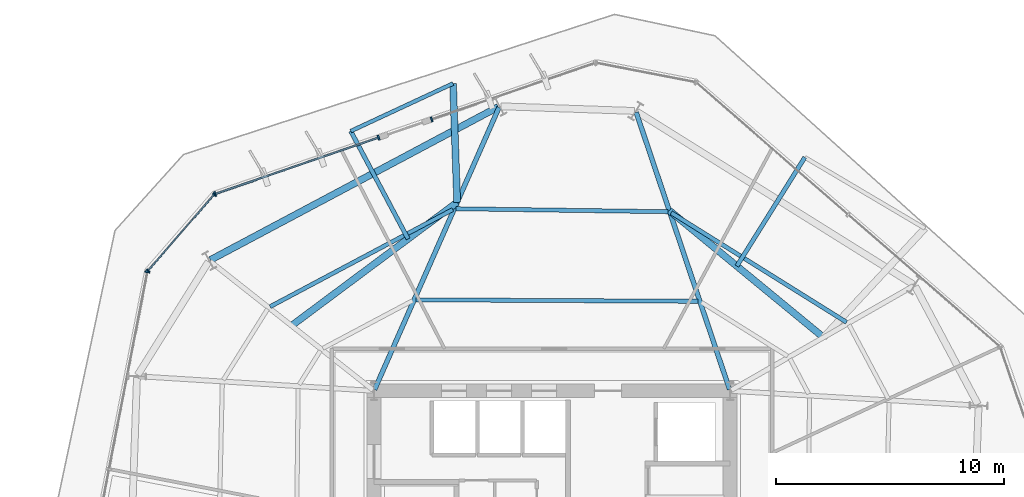
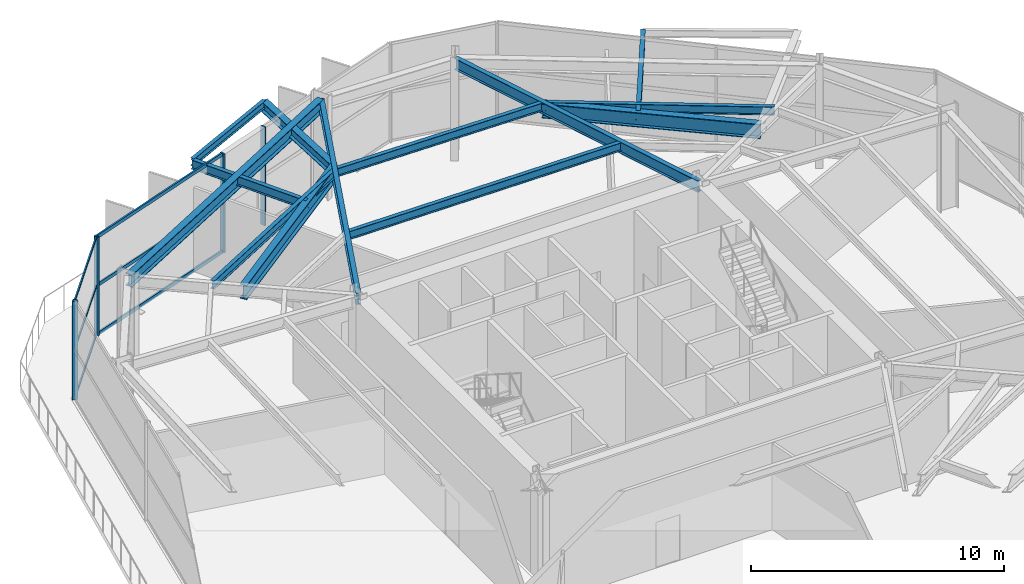
# One storey, part 6 of 16: 13 beams, 12 members, 4 elements without a shape of their own.
"""IFC4 building model written with IfcOpenShell, lengths in metres."""

from ifc_helpers import new_model, si_unit, direction, frame, origin, origin_2d, place, context, subcontext, project, spatial, rectangle, i_section, extrude, material, layer, layer_set, material_profile, profile_set, type_object, element, aggregate, save


model = new_model("IFC4")

# Units and contexts
model_context = context("Model", 3, precision=1e-05, world=origin(), true_north=direction((0.0, 1.0)))
body_context = subcontext(model_context, "Body", "Model", "MODEL_VIEW")
ifc_project = project(units=[si_unit("LENGTHUNIT", "METRE"), si_unit("AREAUNIT", "SQUARE_METRE"), si_unit("VOLUMEUNIT", "CUBIC_METRE"), si_unit("PLANEANGLEUNIT", "RADIAN"), si_unit("MASSUNIT", "GRAM", prefix="KILO")], contexts=[model_context])

# Site, building, storey
site_placement = place(None, origin())
site = spatial("IfcSite", under=ifc_project, at=site_placement, CompositionType="ELEMENT")
building_placement = place(site_placement, origin())
building = spatial("IfcBuilding", under=site, at=building_placement, Name="Kranzbogen Civic Tower", CompositionType="ELEMENT")
storey_placement = place(building_placement, frame((0.0, 0.0, 97.39990234375)))
storey = spatial("IfcBuildingStorey", under=building, at=storey_placement, Name="L23", CompositionType="ELEMENT", Elevation=97.39990234375)

# Beams
ifc_material_1 = material(Name="Steel S355", Category="steel")
ifc_material_profile_1 = material_profile(ifc_material_1, i_section(OverallWidth=0.18994140625, OverallDepth=0.449951171875, WebThickness=0.009521484375, FlangeThickness=0.0146484375, at=origin_2d()), Name="IPE 450")
ifc_profile_set_1 = profile_set([ifc_material_profile_1], Name="Steel S355")
beam_type_1 = type_object("IfcBeamType", Name="Braced Terrace Edge Beam IPE 450", PredefinedType="BEAM", material=ifc_profile_set_1)
beam_1_placement = place(storey_placement, frame((18.69189453125, 38.860107421875, 4.525146484375), z_axis=(-0.469514549434, 0.88292473511, 0.0), x_axis=(-0.88292473511, -0.469514549434, 0.0)))
element("IfcBeam", 1, at=beam_1_placement, inside=storey, type_object=beam_type_1, Name="L24 back-spanned terrace beam L24-TB2-2", PredefinedType="BEAM", context=body_context, shape_type="SweptSolid", body=[
    extrude(i_section(OverallWidth=0.18994140625, OverallDepth=0.449951171875, WebThickness=0.009521484375, FlangeThickness=0.0146484375, at=origin_2d()), origin(), (0.0, 0.0, 1.0), 5.34814453125),
])
beam_2_placement = place(storey_placement, frame((33.09912109375, 37.6669921875, 4.4951171875), z_axis=(0.52986616592, 0.848081273354, 0.0), x_axis=(-0.848081273354, 0.52986616592, 0.0)))
element("IfcBeam", 2, at=beam_2_placement, inside=storey, type_object=beam_type_1, Name="L24 back-spanned terrace beam L24-ST-2", PredefinedType="BEAM", context=body_context, shape_type="SweptSolid", body=[
    extrude(i_section(OverallWidth=0.18994140625, OverallDepth=0.449951171875, WebThickness=0.009521484375, FlangeThickness=0.0146484375, at=origin_2d()), origin(), (0.0, 0.0, 1.0), 5.619873046875),
])

# Curtain wall, members
ifc_material_2 = material(Name="Pale Anodised Aluminium", Category="aluminium")
ifc_layer_1 = layer(ifc_material_2, 0.219970703125, Name="Pale Anodised Aluminium")
ifc_layer_set_1 = layer_set([ifc_layer_1], Name="Pale Anodised Aluminium")
curtain_wall_type_1 = type_object("IfcCurtainWallType", Name="Chamfer Facet Stick Curtain Wall System CW-06", PredefinedType="USERDEFINED", material=ifc_layer_set_1)
curtain_wall_1_placement = place(storey_placement, origin())
curtain_wall_1 = element("IfcCurtainWall", 3, at=curtain_wall_1_placement, inside=storey, type_object=curtain_wall_type_1, Name="L23 curtain wall CW-L23-C2", ObjectType="STICK CURTAIN WALL", PredefinedType="USERDEFINED")
ifc_material_profile_2 = material_profile(ifc_material_2, rectangle(XDim=0.06005859375, YDim=0.159912109375, at=origin_2d()), Name="ALU-M 60x160")
ifc_profile_set_2 = profile_set([ifc_material_profile_2], Name="Pale Anodised Aluminium")
member_type_1 = type_object("IfcMemberType", Name="Curtain Wall Mullion ALU-M 60x160", PredefinedType="MULLION", material=ifc_profile_set_2)
member_1_placement = place(storey_placement, frame((10.1904296875, 40.79638671875, 0.0), z_axis=(0.0, 0.0, 1.0), x_axis=(-0.656062411201, -0.754706640099, 0.0)))
member_1 = element("IfcMember", 4, at=member_1_placement, type_object=member_type_1, Name="CW-06 mullion 1", PredefinedType="MULLION", context=body_context, shape_type="SweptSolid", body=[
    extrude(rectangle(XDim=0.06005859375, YDim=0.159912109375, at=origin_2d()), origin(), (0.0, 0.0, 1.0), 4.760009765625),
])
member_2_placement = place(storey_placement, frame((7.296630859375, 37.467529296875, 0.0), z_axis=(0.0, 0.0, 1.0), x_axis=(-0.656062411201, -0.754706640099, 0.0)))
member_2 = element("IfcMember", 5, at=member_2_placement, type_object=member_type_1, Name="CW-06 mullion 2", PredefinedType="MULLION", context=body_context, shape_type="SweptSolid", body=[
    extrude(rectangle(XDim=0.06005859375, YDim=0.159912109375, at=origin_2d()), origin(), (0.0, 0.0, 1.0), 4.760009765625),
])

# Curtain wall, member
ifc_layer_2 = layer(ifc_material_2, 0.219970703125, Name="Pale Anodised Aluminium")
ifc_layer_set_2 = layer_set([ifc_layer_2], Name="Pale Anodised Aluminium")
curtain_wall_type_2 = type_object("IfcCurtainWallType", Name="Zone 2 Stick Curtain Wall System CW-03", PredefinedType="USERDEFINED", material=ifc_layer_set_2)
curtain_wall_2_placement = place(storey_placement, origin())
curtain_wall_2 = element("IfcCurtainWall", 6, at=curtain_wall_2_placement, inside=storey, type_object=curtain_wall_type_2, Name="L23 curtain wall CW-L23-F2-S1", ObjectType="STICK CURTAIN WALL", PredefinedType="USERDEFINED")
ifc_material_profile_3 = material_profile(ifc_material_2, rectangle(XDim=0.074951171875, YDim=0.219970703125, at=origin_2d()), Name="ALU-M 75x220")
ifc_profile_set_3 = profile_set([ifc_material_profile_3], Name="Pale Anodised Aluminium")
member_type_2 = type_object("IfcMemberType", Name="Curtain Wall Mullion ALU-M 75x220", PredefinedType="MULLION", material=ifc_profile_set_3)
member_3_placement = place(storey_placement, frame((19.725341796875, 44.095703125, 0.0), z_axis=(0.0, 0.0, 1.0), x_axis=(-0.945506521479, -0.325603160059, 0.0)))
member_3 = element("IfcMember", 7, at=member_3_placement, type_object=member_type_2, Name="CW-03 mullion 2", PredefinedType="MULLION", context=body_context, shape_type="SweptSolid", body=[
    extrude(rectangle(XDim=0.074951171875, YDim=0.219970703125, at=origin_2d()), origin(), (0.0, 0.0, 1.0), 4.760009765625),
])
aggregate(curtain_wall_2, [member_3])

# Curtain wall, members
curtain_wall_3_placement = place(storey_placement, origin())
curtain_wall_3 = element("IfcCurtainWall", 8, at=curtain_wall_3_placement, inside=storey, type_object=curtain_wall_type_2, Name="L23 curtain wall CW-L23-F2-S2", ObjectType="STICK CURTAIN WALL", PredefinedType="USERDEFINED")
member_4_placement = place(storey_placement, frame((17.399658203125, 43.295166015625, 0.0), z_axis=(0.0, 0.0, 1.0), x_axis=(-0.945492633298, -0.325643486622, 0.0)))
member_4 = element("IfcMember", 9, at=member_4_placement, type_object=member_type_2, Name="CW-03 mullion 1", PredefinedType="MULLION", context=body_context, shape_type="SweptSolid", body=[
    extrude(rectangle(XDim=0.074951171875, YDim=0.219970703125, at=origin_2d()), origin(), (0.0, 0.0, 1.0), 4.760009765625),
])
member_5_placement = place(storey_placement, frame((10.23828125, 40.828857421875, 0.0), z_axis=(0.0, 0.0, 1.0), x_axis=(-0.945492633298, -0.325643486622, 0.0)))
member_5 = element("IfcMember", 10, at=member_5_placement, type_object=member_type_2, Name="CW-03 mullion 2", PredefinedType="MULLION", context=body_context, shape_type="SweptSolid", body=[
    extrude(rectangle(XDim=0.074951171875, YDim=0.219970703125, at=origin_2d()), origin(), (0.0, 0.0, 1.0), 4.760009765625),
])

# Curtain wall, member
curtain_wall_4_placement = place(storey_placement, origin())
curtain_wall_4 = element("IfcCurtainWall", 11, at=curtain_wall_4_placement, inside=storey, type_object=curtain_wall_type_2, Name="L23 curtain wall CW-L23-F3", ObjectType="STICK CURTAIN WALL", PredefinedType="USERDEFINED")
member_6_placement = place(storey_placement, frame((7.271240234375, 37.41552734375, 0.0), z_axis=(0.0, 0.0, 1.0), x_axis=(-0.190845421179, -0.981620102288, 0.0)))
member_6 = element("IfcMember", 12, at=member_6_placement, type_object=member_type_2, Name="CW-03 mullion 1", PredefinedType="MULLION", context=body_context, shape_type="SweptSolid", body=[
    extrude(rectangle(XDim=0.074951171875, YDim=0.219970703125, at=origin_2d()), origin(), (0.0, 0.0, 1.0), 4.760009765625),
])
aggregate(curtain_wall_4, [member_6])

# Member
ifc_material_profile_4 = material_profile(ifc_material_2, rectangle(XDim=0.06005859375, YDim=0.1201171875, at=origin_2d()), Name="ALU-T 60x120")
ifc_profile_set_4 = profile_set([ifc_material_profile_4], Name="Pale Anodised Aluminium")
member_type_3 = type_object("IfcMemberType", Name="Curtain Wall Transom ALU-T 60x120", PredefinedType="USERDEFINED", material=ifc_profile_set_4)
member_7_placement = place(storey_placement, frame((10.170654296875, 40.773681640625, 0.030029296875), z_axis=(-0.656057835583, -0.754710617634, 0.0), x_axis=(0.754710617634, -0.656057835583, 0.0)))
member_7 = element("IfcMember", 13, at=member_7_placement, type_object=member_type_3, Name="CW-06 transom 1.1", ObjectType="TRANSOM", PredefinedType="USERDEFINED", context=body_context, shape_type="SweptSolid", body=[
    extrude(rectangle(XDim=0.06005859375, YDim=0.1201171875, at=origin_2d()), origin(), (0.0, 0.0, 1.0), 4.3505859375),
])

member_8_placement = place(storey_placement, frame((10.170654296875, 40.773681640625, 2.400146484375), z_axis=(-0.656057835583, -0.754710617634, 0.0), x_axis=(0.754710617634, -0.656057835583, 0.0)))
member_8 = element("IfcMember", 14, at=member_8_placement, type_object=member_type_3, Name="CW-06 transom 1.2", ObjectType="TRANSOM", PredefinedType="USERDEFINED", context=body_context, shape_type="SweptSolid", body=[
    extrude(rectangle(XDim=0.06005859375, YDim=0.1201171875, at=origin_2d()), origin(), (0.0, 0.0, 1.0), 4.3505859375),
])

member_9_placement = place(storey_placement, frame((10.170654296875, 40.773681640625, 4.72998046875), z_axis=(-0.656057835583, -0.754710617634, 0.0), x_axis=(0.754710617634, -0.656057835583, 0.0)))
member_9 = element("IfcMember", 15, at=member_9_placement, type_object=member_type_3, Name="CW-06 transom 1.3", ObjectType="TRANSOM", PredefinedType="USERDEFINED", context=body_context, shape_type="SweptSolid", body=[
    extrude(rectangle(XDim=0.06005859375, YDim=0.1201171875, at=origin_2d()), origin(), (0.0, 0.0, 1.0), 4.3505859375),
])

aggregate(curtain_wall_1, [member_1, member_2, member_7, member_8, member_9])

ifc_material_profile_5 = material_profile(ifc_material_2, rectangle(XDim=0.074951171875, YDim=0.1650390625, at=origin_2d()), Name="ALU-T 75x165")
ifc_profile_set_5 = profile_set([ifc_material_profile_5], Name="Pale Anodised Aluminium")
member_type_4 = type_object("IfcMemberType", Name="Curtain Wall Transom ALU-T 75x165", PredefinedType="USERDEFINED", material=ifc_profile_set_5)
member_10_placement = place(storey_placement, frame((17.371337890625, 43.285400390625, 0.030029296875), z_axis=(-0.945497905375, -0.325628178958, 0.0), x_axis=(0.325628178958, -0.945497905375, 0.0)))
member_10 = element("IfcMember", 16, at=member_10_placement, type_object=member_type_4, Name="CW-03 transom 1.1", ObjectType="TRANSOM", PredefinedType="USERDEFINED", context=body_context, shape_type="SweptSolid", body=[
    extrude(rectangle(XDim=0.074951171875, YDim=0.1650390625, at=origin_2d()), origin(), (0.0, 0.0, 1.0), 7.513916015625),
])

member_11_placement = place(storey_placement, frame((17.371337890625, 43.285400390625, 2.400146484375), z_axis=(-0.945497905375, -0.325628178958, 0.0), x_axis=(0.325628178958, -0.945497905375, 0.0)))
member_11 = element("IfcMember", 17, at=member_11_placement, type_object=member_type_4, Name="CW-03 transom 1.2", ObjectType="TRANSOM", PredefinedType="USERDEFINED", context=body_context, shape_type="SweptSolid", body=[
    extrude(rectangle(XDim=0.074951171875, YDim=0.1650390625, at=origin_2d()), origin(), (0.0, 0.0, 1.0), 7.513916015625),
])

member_12_placement = place(storey_placement, frame((17.371337890625, 43.285400390625, 4.72998046875), z_axis=(-0.945497905375, -0.325628178958, 0.0), x_axis=(0.325628178958, -0.945497905375, 0.0)))
member_12 = element("IfcMember", 18, at=member_12_placement, type_object=member_type_4, Name="CW-03 transom 1.3", ObjectType="TRANSOM", PredefinedType="USERDEFINED", context=body_context, shape_type="SweptSolid", body=[
    extrude(rectangle(XDim=0.074951171875, YDim=0.1650390625, at=origin_2d()), origin(), (0.0, 0.0, 1.0), 7.513916015625),
])

aggregate(curtain_wall_3, [member_4, member_5, member_10, member_11, member_12])

# Beams
ifc_material_profile_6 = material_profile(ifc_material_1, i_section(OverallWidth=0.300048828125, OverallDepth=0.5, WebThickness=0.014404296875, FlangeThickness=0.028076171875, at=origin_2d()), Name="HEB 500")
ifc_profile_set_6 = profile_set([ifc_material_profile_6], Name="Steel S355")
beam_type_2 = type_object("IfcBeamType", Name="Perimeter Tube Spandrel Beam HEB 500", PredefinedType="SPANDREL", material=ifc_profile_set_6)
beam_3_placement = place(storey_placement, frame((20.843017578125, 40.462890625, 4.5), z_axis=(-0.034735124116, 0.999396553502, 0.0), x_axis=(-0.999396553502, -0.034735124116, 0.0)))
element("IfcBeam", 19, at=beam_3_placement, inside=storey, type_object=beam_type_2, Name="L24 back-spanned terrace beam L24-TB2-1", PredefinedType="SPANDREL", context=body_context, shape_type="SweptSolid", body=[
    extrude(i_section(OverallWidth=0.300048828125, OverallDepth=0.5, WebThickness=0.014404296875, FlangeThickness=0.028076171875, at=origin_2d()), origin(), (0.0, 0.0, 1.0), 5.208251953125),
])
ifc_material_profile_7 = material_profile(ifc_material_1, i_section(OverallWidth=0.300048828125, OverallDepth=0.60009765625, WebThickness=0.015380859375, FlangeThickness=0.030029296875, at=origin_2d()), Name="HEB 600")
ifc_profile_set_7 = profile_set([ifc_material_profile_7], Name="Steel S355")
beam_type_3 = type_object("IfcBeamType", Name="Perimeter Tube Spandrel Beam HEB 600", PredefinedType="SPANDREL", material=ifc_profile_set_7)
beam_4_placement = place(storey_placement, frame((22.64599609375, 44.64404296875, 4.460205078125), z_axis=(-0.882948194046, -0.469470432116, 0.0), x_axis=(0.469470432116, -0.882948194046, 0.0)))
element("IfcBeam", 20, at=beam_4_placement, inside=storey, type_object=beam_type_3, Name="L23 perimeter spandrel beam 10", PredefinedType="SPANDREL", context=body_context, shape_type="SweptSolid", body=[
    extrude(i_section(OverallWidth=0.300048828125, OverallDepth=0.60009765625, WebThickness=0.015380859375, FlangeThickness=0.030029296875, at=origin_2d()), origin(), (0.0, 0.0, 1.0), 14.28857421875),
])
ifc_material_profile_8 = material_profile(ifc_material_1, i_section(OverallWidth=0.300048828125, OverallDepth=0.699951171875, WebThickness=0.01708984375, FlangeThickness=0.031982421875, at=origin_2d()), Name="HEB 700")
ifc_profile_set_8 = profile_set([ifc_material_profile_8], Name="Steel S355")
beam_type_4 = type_object("IfcBeamType", Name="Perimeter Tube Spandrel Beam HEB 700", PredefinedType="SPANDREL", material=ifc_profile_set_8)
beam_5_placement = place(storey_placement, frame((20.843017578125, 40.462890625, 4.400146484375), z_axis=(-0.801896259305, -0.597463295369, 0.0), x_axis=(0.597463295369, -0.801896259305, 0.0)))
element("IfcBeam", 21, at=beam_5_placement, inside=storey, type_object=beam_type_4, Name="L24 balcony back-span header girder L24-TB2", PredefinedType="SPANDREL", context=body_context, shape_type="SweptSolid", body=[
    extrude(i_section(OverallWidth=0.300048828125, OverallDepth=0.699951171875, WebThickness=0.01708984375, FlangeThickness=0.031982421875, at=origin_2d()), origin(), (0.0, 0.0, 1.0), 9.0498046875),
])
beam_6_placement = place(storey_placement, frame((36.89404296875, 34.5439453125, 4.3701171875), z_axis=(-0.772133132713, 0.635460797663, 0.0), x_axis=(-0.635460797663, -0.772133132713, 0.0)))
element("IfcBeam", 22, at=beam_6_placement, inside=storey, type_object=beam_type_4, Name="L24 balcony back-span header girder L24-ST", PredefinedType="SPANDREL", context=body_context, shape_type="SweptSolid", body=[
    extrude(i_section(OverallWidth=0.300048828125, OverallDepth=0.699951171875, WebThickness=0.01708984375, FlangeThickness=0.031982421875, at=origin_2d()), origin(), (0.0, 0.0, 1.0), 8.751220703125),
])
ifc_material_profile_9 = material_profile(ifc_material_1, i_section(OverallWidth=0.2099609375, OverallDepth=0.550048828125, WebThickness=0.010986328125, FlangeThickness=0.01708984375, at=origin_2d()), Name="IPE 550")
ifc_profile_set_9 = profile_set([ifc_material_profile_9], Name="Steel S355")
beam_type_5 = type_object("IfcBeamType", Name="Radial Tower Floor Girder IPE 550", PredefinedType="BEAM", material=ifc_profile_set_9)
beam_7_placement = place(storey_placement, frame((28.68701171875, 44.406982421875, 4.485107421875), z_axis=(0.319316617377, -0.947648087566, 0.0), x_axis=(0.947648087566, 0.319316617377, 0.0)))
element("IfcBeam", 23, at=beam_7_placement, inside=storey, type_object=beam_type_5, Name="L23 radial floor girder 09", PredefinedType="BEAM", context=body_context, shape_type="SweptSolid", body=[
    extrude(i_section(OverallWidth=0.2099609375, OverallDepth=0.550048828125, WebThickness=0.010986328125, FlangeThickness=0.01708984375, at=origin_2d()), origin(), (0.0, 0.0, 1.0), 12.821044921875),
])
beam_8_placement = place(storey_placement, frame((22.675048828125, 44.616943359375, 4.485107421875), z_axis=(-0.403459127705, -0.914997667905, 0.0), x_axis=(0.914997667905, -0.403459127705, 0.0)))
element("IfcBeam", 24, at=beam_8_placement, inside=storey, type_object=beam_type_5, Name="L23 radial floor girder 10", PredefinedType="BEAM", context=body_context, shape_type="SweptSolid", body=[
    extrude(i_section(OverallWidth=0.2099609375, OverallDepth=0.550048828125, WebThickness=0.010986328125, FlangeThickness=0.01708984375, at=origin_2d()), origin(), (0.0, 0.0, 1.0), 13.510498046875),
])
ifc_material_profile_10 = material_profile(ifc_material_1, i_section(OverallWidth=0.169921875, OverallDepth=0.360107421875, WebThickness=0.008056640625, FlangeThickness=0.0126953125, at=origin_2d()), Name="IPE 360")
ifc_profile_set_10 = profile_set([ifc_material_profile_10], Name="Steel S355")
beam_type_6 = type_object("IfcBeamType", Name="Secondary Composite Floor Joist IPE 360", PredefinedType="JOIST", material=ifc_profile_set_10)
beam_9_placement = place(storey_placement, frame((20.662109375, 45.66796875, 4.570068359375), z_axis=(-0.906592812899, -0.422006482888, 0.0), x_axis=(0.422006482888, -0.906592812899, 0.0)))
element("IfcBeam", 25, at=beam_9_placement, inside=storey, type_object=beam_type_6, Name="L24 terrace outer edge trimmer L24-TB2", PredefinedType="JOIST", context=body_context, shape_type="SweptSolid", body=[
    extrude(i_section(OverallWidth=0.169921875, OverallDepth=0.360107421875, WebThickness=0.008056640625, FlangeThickness=0.0126953125, at=origin_2d()), origin(), (0.0, 0.0, 1.0), 4.94287109375),
])
ifc_material_profile_11 = material_profile(ifc_material_1, i_section(OverallWidth=0.179931640625, OverallDepth=0.39990234375, WebThickness=0.008544921875, FlangeThickness=0.013427734375, at=origin_2d()), Name="IPE 400")
ifc_profile_set_11 = profile_set([ifc_material_profile_11], Name="Steel S355")
beam_type_7 = type_object("IfcBeamType", Name="Secondary Composite Floor Joist IPE 400", PredefinedType="JOIST", material=ifc_profile_set_11)
beam_10_placement = place(storey_placement, frame((37.906982421875, 35.205078125, 4.56005859375), z_axis=(-0.848025549308, 0.529955345026, 0.0), x_axis=(-0.529955345026, -0.848025549308, 0.0)))
element("IfcBeam", 26, at=beam_10_placement, inside=storey, type_object=beam_type_7, Name="L23 secondary floor joist 1.08", PredefinedType="JOIST", context=body_context, shape_type="SweptSolid", body=[
    extrude(i_section(OverallWidth=0.179931640625, OverallDepth=0.39990234375, WebThickness=0.008544921875, FlangeThickness=0.013427734375, at=origin_2d()), origin(), (0.0, 0.0, 1.0), 9.06103515625),
])
beam_11_placement = place(storey_placement, frame((30.075927734375, 40.050048828125, 4.56005859375), z_axis=(-0.999900525148, 0.014104602386, 0.0), x_axis=(-0.014104602386, -0.999900525148, 0.0)))
element("IfcBeam", 27, at=beam_11_placement, inside=storey, type_object=beam_type_7, Name="L23 secondary floor joist 1.09", PredefinedType="JOIST", context=body_context, shape_type="SweptSolid", body=[
    extrude(i_section(OverallWidth=0.179931640625, OverallDepth=0.39990234375, WebThickness=0.008544921875, FlangeThickness=0.013427734375, at=origin_2d()), origin(), (0.0, 0.0, 1.0), 9.27783203125),
])
beam_12_placement = place(storey_placement, frame((31.39794921875, 36.125, 4.56005859375), z_axis=(-0.999985774147, 0.005333995002, 0.0), x_axis=(-0.005333995002, -0.999985774147, 0.0)))
element("IfcBeam", 28, at=beam_12_placement, inside=storey, type_object=beam_type_7, Name="L23 secondary floor joist 2.09", PredefinedType="JOIST", context=body_context, shape_type="SweptSolid", body=[
    extrude(i_section(OverallWidth=0.179931640625, OverallDepth=0.39990234375, WebThickness=0.008544921875, FlangeThickness=0.013427734375, at=origin_2d()), origin(), (0.0, 0.0, 1.0), 12.358154296875),
])
beam_13_placement = place(storey_placement, frame((20.64892578125, 40.14501953125, 4.56005859375), z_axis=(-0.882960787661, -0.469446746131, 0.0), x_axis=(0.469446746131, -0.882960787661, 0.0)))
element("IfcBeam", 29, at=beam_13_placement, inside=storey, type_object=beam_type_7, Name="L23 secondary floor joist 1.10", PredefinedType="JOIST", context=body_context, shape_type="SweptSolid", body=[
    extrude(i_section(OverallWidth=0.179931640625, OverallDepth=0.39990234375, WebThickness=0.008544921875, FlangeThickness=0.013427734375, at=origin_2d()), origin(), (0.0, 0.0, 1.0), 9.0615234375),
])

save(model, "model.ifc")
